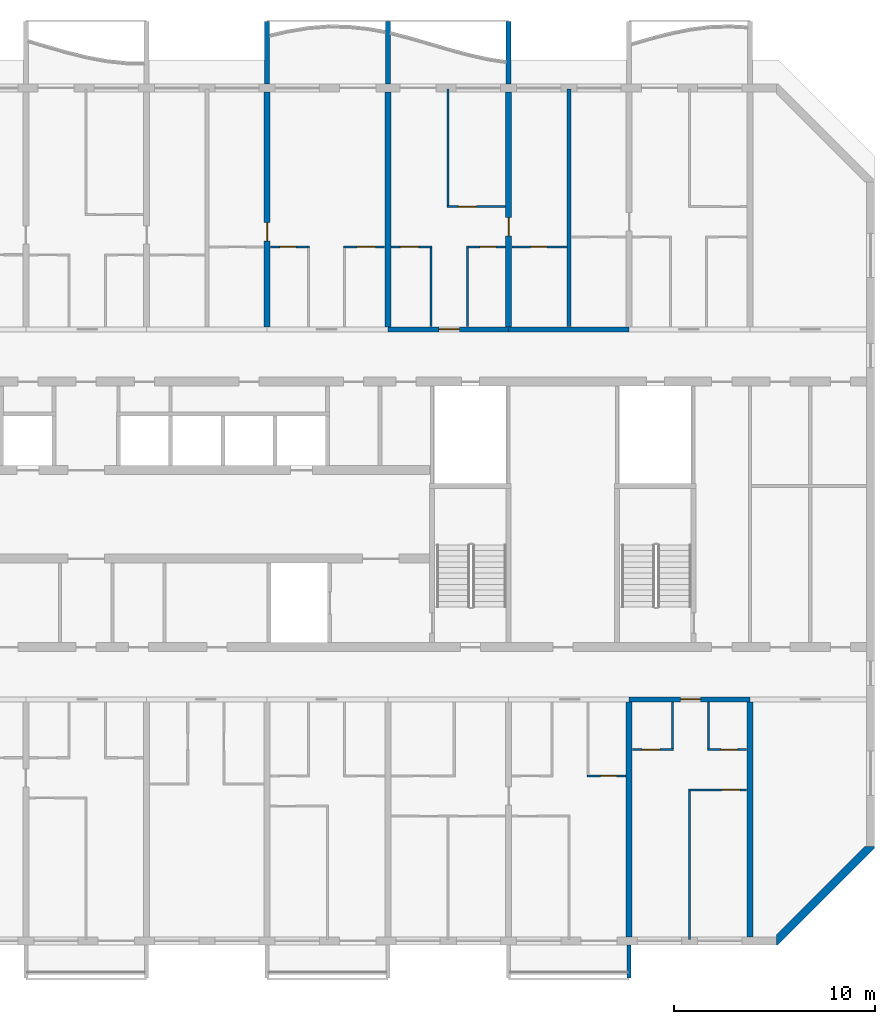
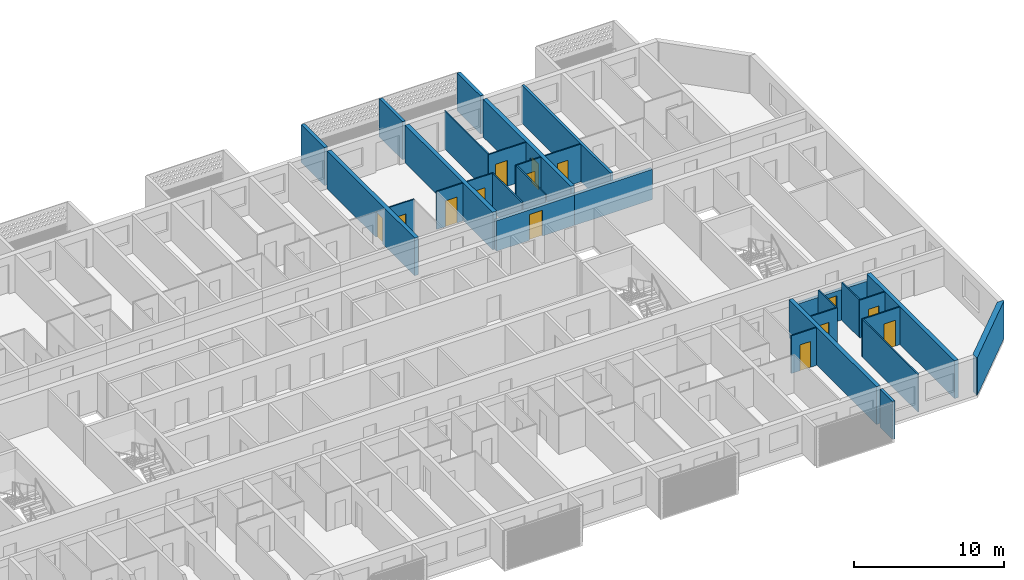
# One storey, part 11 of 32: 30 walls, 14 doors, 14 openings.
"""IFC4 building model written with IfcOpenShell, lengths in metres."""

from ifc_helpers import new_model, si_unit, direction, frame, frame_2d, origin, place, context, subcontext, project, spatial, polyline, rectangle, outline, extrude, source, transform, mapped, material, layer, layer_set, type_object, element, fill, save


model = new_model("IFC4")

# Units and contexts
model_context = context("Model", 3, precision=1e-05, world=origin(), true_north=direction((0.0, 1.0)))
body_context = subcontext(model_context, "Body", "Model", "MODEL_VIEW")
ifc_project = project(units=[si_unit("LENGTHUNIT", "METRE"), si_unit("AREAUNIT", "SQUARE_METRE"), si_unit("VOLUMEUNIT", "CUBIC_METRE"), si_unit("PLANEANGLEUNIT", "RADIAN"), si_unit("MASSUNIT", "GRAM", prefix="KILO")], contexts=[model_context])

# Site, building, storey
site_placement = place(None, origin())
site = spatial("IfcSite", under=ifc_project, at=site_placement, CompositionType="ELEMENT")
building_placement = place(site_placement, origin())
building = spatial("IfcBuilding", under=site, at=building_placement, Name="Poui Terraces", CompositionType="ELEMENT")
storey_placement = place(building_placement, frame((0.0, 0.0, 122.39990234375)))
storey = spatial("IfcBuildingStorey", under=building, at=storey_placement, Name="L33", CompositionType="ELEMENT", Elevation=122.39990234375)

# Wall, opening, door
ifc_material_1 = material(Name="Concrete 65 MPa", Category="concrete")
ifc_layer_1 = layer(ifc_material_1, 0.25)
ifc_layer_set_1 = layer_set([ifc_layer_1], Name="Concrete 65 MPa")
wall_type_1 = type_object("IfcWallType", Name="CORRIDOR WALL 250 65MPa", PredefinedType="SHEAR", material=ifc_layer_set_1)
wall_1_placement = place(storey_placement, frame((78.0, 12.0, 0.0), z_axis=(0.0, 0.0, 1.0), x_axis=(1.0, 0.0, 0.0)))
wall_1 = element("IfcWall", 1, at=wall_1_placement, inside=storey, type_object=wall_type_1, Name="CORRIDOR WALL LINE B BAY 12", PredefinedType="SHEAR", context=body_context, shape_type="SweptSolid", body=[
    extrude(rectangle(XDim=6.0, YDim=0.25, at=frame_2d((3.0, 0.0))), origin(), (0.0, 0.0, 1.0), 2.47021484375),
])
opening_1_placement = place(wall_1_placement, frame((2.550048828125, 0.0, 0.0)))
opening_1 = element("IfcOpeningElement", 2, at=opening_1_placement, cuts=wall_1, Name="Opening FD30S", PredefinedType="OPENING", context=body_context, shape_type="SweptSolid", body=[
    extrude(rectangle(XDim=1.0, YDim=2.10009765625, at=frame_2d((0.5, 1.050048828125))), frame((0.0, 0.135009765625, 0.0), z_axis=(0.0, -1.0, 0.0), x_axis=(1.0, 0.0, 0.0)), (0.0, 0.0, 1.0), 0.27001953125),
])
ifc_material_2 = material(Name="Steel fire door", Category="steel")
door_type_1 = type_object("IfcDoorType", Name="FLAT ENTRANCE DOOR 1000 X 2100", OperationType="NOTDEFINED", PredefinedType="DOOR", material=ifc_material_2)
door_1_placement = place(opening_1_placement, frame((1.0, 0.0, 0.0), z_axis=(0.0, 0.0, 1.0), x_axis=(-1.0, 0.0, 0.0)))
door_1 = element("IfcDoor", 3, at=door_1_placement, inside=storey, type_object=door_type_1, Name="FLAT ENTRANCE DOOR 117", OperationType="SINGLE_SWING_LEFT", OverallHeight=2.10009765625, OverallWidth=1.0, PredefinedType="DOOR", context=body_context, shape_type="SweptSolid", body=[
    extrude(rectangle(XDim=1.0, YDim=2.10009765625, at=frame_2d((0.5, 1.050048828125))), frame((0.0, 0.02490234375, 0.0), z_axis=(0.0, -1.0, 0.0), x_axis=(1.0, 0.0, 0.0)), (0.0, 0.0, 1.0), 0.050048828125),
])
fill(opening_1, door_1)

wall_2_placement = place(storey_placement, frame((66.0, 30.39990234375, 0.0), z_axis=(0.0, 0.0, 1.0), x_axis=(1.0, 0.0, 0.0)))
wall_2 = element("IfcWall", 4, at=wall_2_placement, inside=storey, type_object=wall_type_1, Name="CORRIDOR WALL LINE E BAY 10", PredefinedType="SHEAR", context=body_context, shape_type="SweptSolid", body=[
    extrude(rectangle(XDim=6.0, YDim=0.25, at=frame_2d((3.0, 0.0))), origin(), (0.0, 0.0, 1.0), 2.47021484375),
])
opening_2_placement = place(wall_2_placement, frame((2.550048828125, 0.0, 0.0)))
opening_2 = element("IfcOpeningElement", 5, at=opening_2_placement, cuts=wall_2, Name="Opening FD30S", PredefinedType="OPENING", context=body_context, shape_type="SweptSolid", body=[
    extrude(rectangle(XDim=1.0, YDim=2.10009765625, at=frame_2d((0.5, 1.050048828125))), frame((0.0, 0.135009765625, 0.0), z_axis=(0.0, -1.0, 0.0), x_axis=(1.0, 0.0, 0.0)), (0.0, 0.0, 1.0), 0.27001953125),
])
door_2_placement = place(opening_2_placement, origin())
door_2 = element("IfcDoor", 6, at=door_2_placement, inside=storey, type_object=door_type_1, Name="FLAT ENTRANCE DOOR 067", OperationType="SINGLE_SWING_RIGHT", OverallHeight=2.10009765625, OverallWidth=1.0, PredefinedType="DOOR", context=body_context, shape_type="SweptSolid", body=[
    extrude(rectangle(XDim=1.0, YDim=2.10009765625, at=frame_2d((0.5, 1.050048828125))), frame((0.0, 0.02490234375, 0.0), z_axis=(0.0, -1.0, 0.0), x_axis=(1.0, 0.0, 0.0)), (0.0, 0.0, 1.0), 0.050048828125),
])
fill(opening_2, door_2)

# Wall
wall_3_placement = place(storey_placement, frame((72.0, 30.39990234375, 0.0), z_axis=(0.0, 0.0, 1.0), x_axis=(1.0, 0.0, 0.0)))
element("IfcWall", 7, at=wall_3_placement, inside=storey, type_object=wall_type_1, Name="CORRIDOR WALL LINE E BAY 11", PredefinedType="SHEAR", context=body_context, shape_type="SweptSolid", body=[
    extrude(rectangle(XDim=6.0, YDim=0.25, at=frame_2d((3.0, 0.0))), origin(), (0.0, 0.0, 1.0), 2.47021484375),
])

# Wall, opening, door
ifc_layer_2 = layer(ifc_material_1, 0.300048828125)
ifc_layer_set_2 = layer_set([ifc_layer_2], Name="Concrete 65 MPa")
wall_type_2 = type_object("IfcWallType", Name="CROSS WALL 300 65MPa", PredefinedType="SHEAR", material=ifc_layer_set_2)
wall_4_placement = place(storey_placement, frame((60.0, 30.52490234375, 0.0), z_axis=(0.0, 0.0, 1.0), x_axis=(0.0, 1.0, 0.0)))
wall_4 = element("IfcWall", 8, at=wall_4_placement, inside=storey, type_object=wall_type_2, Name="CROSS WALL LINE 11 NORTH", PredefinedType="SHEAR", context=body_context, shape_type="SweptSolid", body=[
    extrude(rectangle(XDim=11.675048828125, YDim=0.300048828125, at=frame_2d((5.83740234375, 0.0))), origin(), (0.0, 0.0, 1.0), 3.070068359375),
])
opening_3_placement = place(wall_4_placement, frame((4.27490234375, 0.0, 0.0)))
opening_3 = element("IfcOpeningElement", 9, at=opening_3_placement, cuts=wall_4, Name="Opening D90", PredefinedType="OPENING", context=body_context, shape_type="SweptSolid", body=[
    extrude(rectangle(XDim=0.89990234375, YDim=2.10009765625, at=frame_2d((0.449951171875, 1.050048828125))), frame((0.0, 0.16015625, 0.0), z_axis=(0.0, -1.0, 0.0), x_axis=(1.0, 0.0, 0.0)), (0.0, 0.0, 1.0), 0.320068359375),
])
ifc_material_3 = material(Name="Solid core timber door", Category="wood")
door_type_2 = type_object("IfcDoorType", Name="INTERNAL DOOR 900 X 2100", OperationType="NOTDEFINED", PredefinedType="DOOR", material=ifc_material_3)
door_3_placement = place(opening_3_placement, origin())
door_3 = element("IfcDoor", 10, at=door_3_placement, inside=storey, type_object=door_type_2, Name="INTERNAL DOOR 061", OperationType="SINGLE_SWING_LEFT", OverallHeight=2.10009765625, OverallWidth=0.89990234375, PredefinedType="DOOR", context=body_context, shape_type="SweptSolid", body=[
    extrude(rectangle(XDim=0.89990234375, YDim=2.10009765625, at=frame_2d((0.449951171875, 1.050048828125))), frame((0.0, 0.02490234375, 0.0), z_axis=(0.0, -1.0, 0.0), x_axis=(1.0, 0.0, 0.0)), (0.0, 0.0, 1.0), 0.050048828125),
])
fill(opening_3, door_3)

# Wall
wall_5_placement = place(storey_placement, frame((66.0, 30.52490234375, 0.0), z_axis=(0.0, 0.0, 1.0), x_axis=(0.0, 1.0, 0.0)))
element("IfcWall", 11, at=wall_5_placement, inside=storey, type_object=wall_type_2, Name="CROSS WALL LINE 12 NORTH", PredefinedType="SHEAR", context=body_context, shape_type="SweptSolid", body=[
    extrude(rectangle(XDim=11.675048828125, YDim=0.300048828125, at=frame_2d((5.83740234375, 0.0))), origin(), (0.0, 0.0, 1.0), 3.070068359375),
])

# Wall, opening, door
wall_6_placement = place(storey_placement, frame((72.0, 30.52490234375, 0.0), z_axis=(0.0, 0.0, 1.0), x_axis=(0.0, 1.0, 0.0)))
wall_6 = element("IfcWall", 12, at=wall_6_placement, inside=storey, type_object=wall_type_2, Name="CROSS WALL LINE 13 NORTH", PredefinedType="SHEAR", context=body_context, shape_type="SweptSolid", body=[
    extrude(rectangle(XDim=11.675048828125, YDim=0.300048828125, at=frame_2d((5.83740234375, 0.0))), origin(), (0.0, 0.0, 1.0), 3.070068359375),
])
opening_4_placement = place(wall_6_placement, frame((4.52490234375, 0.0, 0.0)))
opening_4 = element("IfcOpeningElement", 13, at=opening_4_placement, cuts=wall_6, Name="Opening D90", PredefinedType="OPENING", context=body_context, shape_type="SweptSolid", body=[
    extrude(rectangle(XDim=0.89990234375, YDim=2.10009765625, at=frame_2d((0.449951171875, 1.050048828125))), frame((0.0, 0.16015625, 0.0), z_axis=(0.0, -1.0, 0.0), x_axis=(1.0, 0.0, 0.0)), (0.0, 0.0, 1.0), 0.320068359375),
])
door_4_placement = place(opening_4_placement, frame((0.89990234375, 0.0, 0.0), z_axis=(0.0, 0.0, 1.0), x_axis=(-1.0, 0.0, 0.0)))
door_4 = element("IfcDoor", 14, at=door_4_placement, inside=storey, type_object=door_type_2, Name="INTERNAL DOOR 070", OperationType="SINGLE_SWING_RIGHT", OverallHeight=2.10009765625, OverallWidth=0.89990234375, PredefinedType="DOOR", context=body_context, shape_type="SweptSolid", body=[
    extrude(rectangle(XDim=0.89990234375, YDim=2.10009765625, at=frame_2d((0.449951171875, 1.050048828125))), frame((0.0, 0.02490234375, 0.0), z_axis=(0.0, -1.0, 0.0), x_axis=(1.0, 0.0, 0.0)), (0.0, 0.0, 1.0), 0.050048828125),
])
fill(opening_4, door_4)

# Walls
for number, where, z_axis, x_axis, name in (
    (15, (78.0, 0.199951171875, 0.0), (0.0, 0.0, 1.0), (0.0, 1.0, 0.0), "CROSS WALL LINE 14 SOUTH"),
    (16, (84.0, 0.199951171875, 0.0), (0.0, 0.0, 1.0), (0.0, 1.0, 0.0), "CROSS WALL LINE 15 SOUTH"),
):
    element("IfcWall", number, at=place(storey_placement, frame(where, z_axis=z_axis, x_axis=x_axis)), inside=storey, type_object=wall_type_2, Name=name, PredefinedType="SHEAR", context=body_context, shape_type="SweptSolid", body=[
        extrude(rectangle(XDim=11.675048828125, YDim=0.300048828125, at=frame_2d((5.83740234375, 0.0))), origin(), (0.0, 0.0, 1.0), 3.070068359375),
    ])

# Wall, opening, door
ifc_material_4 = material(Name="Plasterboard partition")
ifc_layer_3 = layer(ifc_material_4, 0.10009765625)
ifc_layer_set_3 = layer_set([ifc_layer_3], Name="Plasterboard partition")
wall_type_3 = type_object("IfcWallType", Name="FLAT PARTITION 100", PredefinedType="PARTITIONING", material=ifc_layer_set_3)
wall_7_placement = place(storey_placement, frame((80.949951171875, 7.5, 0.0), z_axis=(0.0, 0.0, 1.0), x_axis=(1.0, 0.0, 0.0)))
wall_7 = element("IfcWall", 17, at=wall_7_placement, inside=storey, type_object=wall_type_3, Name="FLAT PARTITION 100", PredefinedType="PARTITIONING", context=body_context, shape_type="SweptSolid", body=[
    extrude(rectangle(XDim=2.89013671875, YDim=0.10009765625, at=frame_2d((1.445068359375, 0.0))), origin(), (0.0, 0.0, 1.0), 3.070068359375),
])
opening_5_placement = place(wall_7_placement, frame((1.64990234375, 0.0, 0.0)))
opening_5 = element("IfcOpeningElement", 18, at=opening_5_placement, cuts=wall_7, Name="Opening D90", PredefinedType="OPENING", context=body_context, shape_type="SweptSolid", body=[
    extrude(rectangle(XDim=0.89990234375, YDim=2.10009765625, at=frame_2d((0.449951171875, 1.050048828125))), frame((0.0, 0.06005859375, 0.0), z_axis=(0.0, -1.0, 0.0), x_axis=(1.0, 0.0, 0.0)), (0.0, 0.0, 1.0), 0.1201171875),
])
door_5_placement = place(opening_5_placement, origin())
door_5 = element("IfcDoor", 19, at=door_5_placement, inside=storey, type_object=door_type_2, Name="INTERNAL DOOR 119", OperationType="SINGLE_SWING_LEFT", OverallHeight=2.10009765625, OverallWidth=0.89990234375, PredefinedType="DOOR", context=body_context, shape_type="SweptSolid", body=[
    extrude(rectangle(XDim=0.89990234375, YDim=2.10009765625, at=frame_2d((0.449951171875, 1.050048828125))), frame((0.0, 0.02490234375, 0.0), z_axis=(0.0, -1.0, 0.0), x_axis=(1.0, 0.0, 0.0)), (0.0, 0.0, 1.0), 0.050048828125),
])
fill(opening_5, door_5)

wall_8_placement = place(storey_placement, frame((75.89990234375, 8.199951171875, 0.0), z_axis=(0.0, 0.0, 1.0), x_axis=(1.0, 0.0, 0.0)))
wall_8 = element("IfcWall", 20, at=wall_8_placement, inside=storey, type_object=wall_type_3, Name="FLAT PARTITION 100", PredefinedType="PARTITIONING", context=body_context, shape_type="SweptSolid", body=[
    extrude(rectangle(XDim=1.940185546875, YDim=0.10009765625, at=frame_2d((0.97021484375, 0.0))), origin(), (0.0, 0.0, 1.0), 3.070068359375),
])
opening_6_placement = place(wall_8_placement, frame((0.675048828125, 0.0, 0.0)))
opening_6 = element("IfcOpeningElement", 21, at=opening_6_placement, cuts=wall_8, Name="Opening D80", PredefinedType="OPENING", context=body_context, shape_type="SweptSolid", body=[
    extrude(rectangle(XDim=0.800048828125, YDim=2.10009765625, at=frame_2d((0.39990234375, 1.050048828125))), frame((0.0, 0.06005859375, 0.0), z_axis=(0.0, -1.0, 0.0), x_axis=(1.0, 0.0, 0.0)), (0.0, 0.0, 1.0), 0.1201171875),
])
door_type_3 = type_object("IfcDoorType", Name="BATHROOM, LAUNDRY AND STORE DOOR 800 X 2100", OperationType="NOTDEFINED", PredefinedType="DOOR", material=ifc_material_3)
door_6_placement = place(opening_6_placement, origin())
door_6 = element("IfcDoor", 22, at=door_6_placement, inside=storey, type_object=door_type_3, Name="BATHROOM, LAUNDRY AND STORE DOOR 115", OperationType="SINGLE_SWING_RIGHT", OverallHeight=2.10009765625, OverallWidth=0.800048828125, PredefinedType="DOOR", context=body_context, shape_type="SweptSolid", body=[
    extrude(rectangle(XDim=0.800048828125, YDim=2.10009765625, at=frame_2d((0.39990234375, 1.050048828125))), frame((0.0, 0.02490234375, 0.0), z_axis=(0.0, -1.0, 0.0), x_axis=(1.0, 0.0, 0.0)), (0.0, 0.0, 1.0), 0.050048828125),
])
fill(opening_6, door_6)

wall_9_placement = place(storey_placement, frame((78.159912109375, 9.5, 0.0), z_axis=(0.0, 0.0, 1.0), x_axis=(1.0, 0.0, 0.0)))
wall_9 = element("IfcWall", 23, at=wall_9_placement, inside=storey, type_object=wall_type_3, Name="FLAT PARTITION 100", PredefinedType="PARTITIONING", context=body_context, shape_type="SweptSolid", body=[
    extrude(rectangle(XDim=2.0400390625, YDim=0.10009765625, at=frame_2d((1.02001953125, 0.0))), origin(), (0.0, 0.0, 1.0), 3.070068359375),
])
opening_7_placement = place(wall_9_placement, frame((0.465087890625, 0.0, 0.0)))
opening_7 = element("IfcOpeningElement", 24, at=opening_7_placement, cuts=wall_9, Name="Opening D90", PredefinedType="OPENING", context=body_context, shape_type="SweptSolid", body=[
    extrude(rectangle(XDim=0.89990234375, YDim=2.10009765625, at=frame_2d((0.449951171875, 1.050048828125))), frame((0.0, 0.06005859375, 0.0), z_axis=(0.0, -1.0, 0.0), x_axis=(1.0, 0.0, 0.0)), (0.0, 0.0, 1.0), 0.1201171875),
])
door_7_placement = place(opening_7_placement, origin())
door_7 = element("IfcDoor", 25, at=door_7_placement, inside=storey, type_object=door_type_2, Name="INTERNAL DOOR 116", OperationType="SINGLE_SWING_LEFT", OverallHeight=2.10009765625, OverallWidth=0.89990234375, PredefinedType="DOOR", context=body_context, shape_type="SweptSolid", body=[
    extrude(rectangle(XDim=0.89990234375, YDim=2.10009765625, at=frame_2d((0.449951171875, 1.050048828125))), frame((0.0, 0.02490234375, 0.0), z_axis=(0.0, -1.0, 0.0), x_axis=(1.0, 0.0, 0.0)), (0.0, 0.0, 1.0), 0.050048828125),
])
fill(opening_7, door_7)

wall_10_placement = place(storey_placement, frame((81.89990234375, 9.5, 0.0), z_axis=(0.0, 0.0, 1.0), x_axis=(1.0, 0.0, 0.0)))
wall_10 = element("IfcWall", 26, at=wall_10_placement, inside=storey, type_object=wall_type_3, Name="FLAT PARTITION 100", PredefinedType="PARTITIONING", context=body_context, shape_type="SweptSolid", body=[
    extrude(rectangle(XDim=1.940185546875, YDim=0.10009765625, at=frame_2d((0.97021484375, 0.0))), origin(), (0.0, 0.0, 1.0), 3.070068359375),
])
opening_8_placement = place(wall_10_placement, frame((0.675048828125, 0.0, 0.0)))
opening_8 = element("IfcOpeningElement", 27, at=opening_8_placement, cuts=wall_10, Name="Opening D80", PredefinedType="OPENING", context=body_context, shape_type="SweptSolid", body=[
    extrude(rectangle(XDim=0.800048828125, YDim=2.10009765625, at=frame_2d((0.39990234375, 1.050048828125))), frame((0.0, 0.06005859375, 0.0), z_axis=(0.0, -1.0, 0.0), x_axis=(1.0, 0.0, 0.0)), (0.0, 0.0, 1.0), 0.1201171875),
])
door_8_placement = place(opening_8_placement, origin())
door_8 = element("IfcDoor", 28, at=door_8_placement, inside=storey, type_object=door_type_3, Name="BATHROOM, LAUNDRY AND STORE DOOR 118", OperationType="SINGLE_SWING_RIGHT", OverallHeight=2.10009765625, OverallWidth=0.800048828125, PredefinedType="DOOR", context=body_context, shape_type="SweptSolid", body=[
    extrude(rectangle(XDim=0.800048828125, YDim=2.10009765625, at=frame_2d((0.39990234375, 1.050048828125))), frame((0.0, 0.02490234375, 0.0), z_axis=(0.0, -1.0, 0.0), x_axis=(1.0, 0.0, 0.0)), (0.0, 0.0, 1.0), 0.050048828125),
])
fill(opening_8, door_8)

wall_11_placement = place(storey_placement, frame((60.159912109375, 34.5, 0.0), z_axis=(0.0, 0.0, 1.0), x_axis=(1.0, 0.0, 0.0)))
wall_11 = element("IfcWall", 29, at=wall_11_placement, inside=storey, type_object=wall_type_3, Name="FLAT PARTITION 100", PredefinedType="PARTITIONING", context=body_context, shape_type="SweptSolid", body=[
    extrude(rectangle(XDim=1.940185546875, YDim=0.10009765625, at=frame_2d((0.97021484375, 0.0))), origin(), (0.0, 0.0, 1.0), 3.070068359375),
])
opening_9_placement = place(wall_11_placement, frame((0.465087890625, 0.0, 0.0)))
opening_9 = element("IfcOpeningElement", 30, at=opening_9_placement, cuts=wall_11, Name="Opening D80", PredefinedType="OPENING", context=body_context, shape_type="SweptSolid", body=[
    extrude(rectangle(XDim=0.800048828125, YDim=2.10009765625, at=frame_2d((0.39990234375, 1.050048828125))), frame((0.0, 0.06005859375, 0.0), z_axis=(0.0, -1.0, 0.0), x_axis=(1.0, 0.0, 0.0)), (0.0, 0.0, 1.0), 0.1201171875),
])
door_9_placement = place(opening_9_placement, frame((0.800048828125, 0.0, 0.0), z_axis=(0.0, 0.0, 1.0), x_axis=(-1.0, 0.0, 0.0)))
door_9 = element("IfcDoor", 31, at=door_9_placement, inside=storey, type_object=door_type_3, Name="BATHROOM, LAUNDRY AND STORE DOOR 062", OperationType="SINGLE_SWING_LEFT", OverallHeight=2.10009765625, OverallWidth=0.800048828125, PredefinedType="DOOR", context=body_context, shape_type="SweptSolid", body=[
    extrude(rectangle(XDim=0.800048828125, YDim=2.10009765625, at=frame_2d((0.39990234375, 1.050048828125))), frame((0.0, 0.02490234375, 0.0), z_axis=(0.0, -1.0, 0.0), x_axis=(1.0, 0.0, 0.0)), (0.0, 0.0, 1.0), 0.050048828125),
])
fill(opening_9, door_9)

wall_12_placement = place(storey_placement, frame((63.800048828125, 34.5, 0.0), z_axis=(0.0, 0.0, 1.0), x_axis=(1.0, 0.0, 0.0)))
wall_12 = element("IfcWall", 32, at=wall_12_placement, inside=storey, type_object=wall_type_3, Name="FLAT PARTITION 100", PredefinedType="PARTITIONING", context=body_context, shape_type="SweptSolid", body=[
    extrude(rectangle(XDim=2.0400390625, YDim=0.10009765625, at=frame_2d((1.02001953125, 0.0))), origin(), (0.0, 0.0, 1.0), 3.070068359375),
])
opening_10_placement = place(wall_12_placement, frame((0.675048828125, 0.0, 0.0)))
opening_10 = element("IfcOpeningElement", 33, at=opening_10_placement, cuts=wall_12, Name="Opening D90", PredefinedType="OPENING", context=body_context, shape_type="SweptSolid", body=[
    extrude(rectangle(XDim=0.89990234375, YDim=2.10009765625, at=frame_2d((0.449951171875, 1.050048828125))), frame((0.0, 0.06005859375, 0.0), z_axis=(0.0, -1.0, 0.0), x_axis=(1.0, 0.0, 0.0)), (0.0, 0.0, 1.0), 0.1201171875),
])
door_10_placement = place(opening_10_placement, frame((0.89990234375, 0.0, 0.0), z_axis=(0.0, 0.0, 1.0), x_axis=(-1.0, 0.0, 0.0)))
door_10 = element("IfcDoor", 34, at=door_10_placement, inside=storey, type_object=door_type_2, Name="INTERNAL DOOR 064", OperationType="SINGLE_SWING_RIGHT", OverallHeight=2.10009765625, OverallWidth=0.89990234375, PredefinedType="DOOR", context=body_context, shape_type="SweptSolid", body=[
    extrude(rectangle(XDim=0.89990234375, YDim=2.10009765625, at=frame_2d((0.449951171875, 1.050048828125))), frame((0.0, 0.02490234375, 0.0), z_axis=(0.0, -1.0, 0.0), x_axis=(1.0, 0.0, 0.0)), (0.0, 0.0, 1.0), 0.050048828125),
])
fill(opening_10, door_10)

wall_13_placement = place(storey_placement, frame((66.159912109375, 34.5, 0.0), z_axis=(0.0, 0.0, 1.0), x_axis=(1.0, 0.0, 0.0)))
wall_13 = element("IfcWall", 35, at=wall_13_placement, inside=storey, type_object=wall_type_3, Name="FLAT PARTITION 100", PredefinedType="PARTITIONING", context=body_context, shape_type="SweptSolid", body=[
    extrude(rectangle(XDim=2.0400390625, YDim=0.10009765625, at=frame_2d((1.02001953125, 0.0))), origin(), (0.0, 0.0, 1.0), 3.070068359375),
])
opening_11_placement = place(wall_13_placement, frame((0.465087890625, 0.0, 0.0)))
opening_11 = element("IfcOpeningElement", 36, at=opening_11_placement, cuts=wall_13, Name="Opening D90", PredefinedType="OPENING", context=body_context, shape_type="SweptSolid", body=[
    extrude(rectangle(XDim=0.89990234375, YDim=2.10009765625, at=frame_2d((0.449951171875, 1.050048828125))), frame((0.0, 0.06005859375, 0.0), z_axis=(0.0, -1.0, 0.0), x_axis=(1.0, 0.0, 0.0)), (0.0, 0.0, 1.0), 0.1201171875),
])
door_11_placement = place(opening_11_placement, frame((0.89990234375, 0.0, 0.0), z_axis=(0.0, 0.0, 1.0), x_axis=(-1.0, 0.0, 0.0)))
door_11 = element("IfcDoor", 37, at=door_11_placement, inside=storey, type_object=door_type_2, Name="INTERNAL DOOR 066", OperationType="SINGLE_SWING_LEFT", OverallHeight=2.10009765625, OverallWidth=0.89990234375, PredefinedType="DOOR", context=body_context, shape_type="SweptSolid", body=[
    extrude(rectangle(XDim=0.89990234375, YDim=2.10009765625, at=frame_2d((0.449951171875, 1.050048828125))), frame((0.0, 0.02490234375, 0.0), z_axis=(0.0, -1.0, 0.0), x_axis=(1.0, 0.0, 0.0)), (0.0, 0.0, 1.0), 0.050048828125),
])
fill(opening_11, door_11)

wall_14_placement = place(storey_placement, frame((69.89990234375, 34.5, 0.0), z_axis=(0.0, 0.0, 1.0), x_axis=(1.0, 0.0, 0.0)))
wall_14 = element("IfcWall", 38, at=wall_14_placement, inside=storey, type_object=wall_type_3, Name="FLAT PARTITION 100", PredefinedType="PARTITIONING", context=body_context, shape_type="SweptSolid", body=[
    extrude(rectangle(XDim=1.940185546875, YDim=0.10009765625, at=frame_2d((0.97021484375, 0.0))), origin(), (0.0, 0.0, 1.0), 3.070068359375),
])
opening_12_placement = place(wall_14_placement, frame((0.675048828125, 0.0, 0.0)))
opening_12 = element("IfcOpeningElement", 39, at=opening_12_placement, cuts=wall_14, Name="Opening D80", PredefinedType="OPENING", context=body_context, shape_type="SweptSolid", body=[
    extrude(rectangle(XDim=0.800048828125, YDim=2.10009765625, at=frame_2d((0.39990234375, 1.050048828125))), frame((0.0, 0.06005859375, 0.0), z_axis=(0.0, -1.0, 0.0), x_axis=(1.0, 0.0, 0.0)), (0.0, 0.0, 1.0), 0.1201171875),
])
door_12_placement = place(opening_12_placement, frame((0.800048828125, 0.0, 0.0), z_axis=(0.0, 0.0, 1.0), x_axis=(-1.0, 0.0, 0.0)))
door_12 = element("IfcDoor", 40, at=door_12_placement, inside=storey, type_object=door_type_3, Name="BATHROOM, LAUNDRY AND STORE DOOR 069", OperationType="SINGLE_SWING_RIGHT", OverallHeight=2.10009765625, OverallWidth=0.800048828125, PredefinedType="DOOR", context=body_context, shape_type="SweptSolid", body=[
    extrude(rectangle(XDim=0.800048828125, YDim=2.10009765625, at=frame_2d((0.39990234375, 1.050048828125))), frame((0.0, 0.02490234375, 0.0), z_axis=(0.0, -1.0, 0.0), x_axis=(1.0, 0.0, 0.0)), (0.0, 0.0, 1.0), 0.050048828125),
])
fill(opening_12, door_12)

wall_15_placement = place(storey_placement, frame((72.159912109375, 34.5, 0.0), z_axis=(0.0, 0.0, 1.0), x_axis=(1.0, 0.0, 0.0)))
wall_15 = element("IfcWall", 41, at=wall_15_placement, inside=storey, type_object=wall_type_3, Name="FLAT PARTITION 100", PredefinedType="PARTITIONING", context=body_context, shape_type="SweptSolid", body=[
    extrude(rectangle(XDim=2.739990234375, YDim=0.10009765625, at=frame_2d((1.3701171875, 0.0))), origin(), (0.0, 0.0, 1.0), 3.070068359375),
])
opening_13_placement = place(wall_15_placement, frame((0.93994140625, 0.0, 0.0)))
opening_13 = element("IfcOpeningElement", 42, at=opening_13_placement, cuts=wall_15, Name="Opening D80", PredefinedType="OPENING", context=body_context, shape_type="SweptSolid", body=[
    extrude(rectangle(XDim=0.800048828125, YDim=2.10009765625, at=frame_2d((0.39990234375, 1.050048828125))), frame((0.0, 0.06005859375, 0.0), z_axis=(0.0, -1.0, 0.0), x_axis=(1.0, 0.0, 0.0)), (0.0, 0.0, 1.0), 0.1201171875),
])
door_13_placement = place(opening_13_placement, frame((0.800048828125, 0.0, 0.0), z_axis=(0.0, 0.0, 1.0), x_axis=(-1.0, 0.0, 0.0)))
door_13 = element("IfcDoor", 43, at=door_13_placement, inside=storey, type_object=door_type_3, Name="BATHROOM, LAUNDRY AND STORE DOOR 065", OperationType="SINGLE_SWING_LEFT", OverallHeight=2.10009765625, OverallWidth=0.800048828125, PredefinedType="DOOR", context=body_context, shape_type="SweptSolid", body=[
    extrude(rectangle(XDim=0.800048828125, YDim=2.10009765625, at=frame_2d((0.39990234375, 1.050048828125))), frame((0.0, 0.02490234375, 0.0), z_axis=(0.0, -1.0, 0.0), x_axis=(1.0, 0.0, 0.0)), (0.0, 0.0, 1.0), 0.050048828125),
])
fill(opening_13, door_13)

wall_16_placement = place(storey_placement, frame((68.949951171875, 36.5, 0.0), z_axis=(0.0, 0.0, 1.0), x_axis=(1.0, 0.0, 0.0)))
wall_16 = element("IfcWall", 44, at=wall_16_placement, inside=storey, type_object=wall_type_3, Name="FLAT PARTITION 100", PredefinedType="PARTITIONING", context=body_context, shape_type="SweptSolid", body=[
    extrude(rectangle(XDim=2.89013671875, YDim=0.10009765625, at=frame_2d((1.445068359375, 0.0))), origin(), (0.0, 0.0, 1.0), 3.070068359375),
])
opening_14_placement = place(wall_16_placement, frame((0.550048828125, 0.0, 0.0)))
opening_14 = element("IfcOpeningElement", 45, at=opening_14_placement, cuts=wall_16, Name="Opening D90", PredefinedType="OPENING", context=body_context, shape_type="SweptSolid", body=[
    extrude(rectangle(XDim=0.89990234375, YDim=2.10009765625, at=frame_2d((0.449951171875, 1.050048828125))), frame((0.0, 0.06005859375, 0.0), z_axis=(0.0, -1.0, 0.0), x_axis=(1.0, 0.0, 0.0)), (0.0, 0.0, 1.0), 0.1201171875),
])
door_14_placement = place(opening_14_placement, frame((0.89990234375, 0.0, 0.0), z_axis=(0.0, 0.0, 1.0), x_axis=(-1.0, 0.0, 0.0)))
door_14 = element("IfcDoor", 46, at=door_14_placement, inside=storey, type_object=door_type_2, Name="INTERNAL DOOR 068", OperationType="SINGLE_SWING_LEFT", OverallHeight=2.10009765625, OverallWidth=0.89990234375, PredefinedType="DOOR", context=body_context, shape_type="SweptSolid", body=[
    extrude(rectangle(XDim=0.89990234375, YDim=2.10009765625, at=frame_2d((0.449951171875, 1.050048828125))), frame((0.0, 0.02490234375, 0.0), z_axis=(0.0, -1.0, 0.0), x_axis=(1.0, 0.0, 0.0)), (0.0, 0.0, 1.0), 0.050048828125),
])
fill(opening_14, door_14)

# Walls
wall_17_placement = place(storey_placement, frame((68.14990234375, 30.534912109375, 0.0), z_axis=(0.0, 0.0, 1.0), x_axis=(0.0, 1.0, 0.0)))
element("IfcWall", 47, at=wall_17_placement, inside=storey, type_object=wall_type_3, Name="FLAT PARTITION 100", PredefinedType="PARTITIONING", context=body_context, shape_type="SweptSolid", body=[
    extrude(rectangle(XDim=3.9150390625, YDim=0.10009765625, at=frame_2d((1.95751953125, 0.0))), origin(), (0.0, 0.0, 1.0), 3.070068359375),
])
wall_18_placement = place(storey_placement, frame((69.0, 36.550048828125, 0.0), z_axis=(0.0, 0.0, 1.0), x_axis=(0.0, 1.0, 0.0)))
element("IfcWall", 48, at=wall_18_placement, inside=storey, type_object=wall_type_3, Name="FLAT PARTITION 100", PredefinedType="PARTITIONING", context=body_context, shape_type="SweptSolid", body=[
    extrude(rectangle(XDim=5.7900390625, YDim=0.10009765625, at=frame_2d((2.89501953125, 0.0))), origin(), (0.0, 0.0, 1.0), 3.070068359375),
])
wall_19_placement = place(storey_placement, frame((69.949951171875, 30.534912109375, 0.0), z_axis=(0.0, 0.0, 1.0), x_axis=(0.0, 1.0, 0.0)))
element("IfcWall", 49, at=wall_19_placement, inside=storey, type_object=wall_type_3, Name="FLAT PARTITION 100", PredefinedType="PARTITIONING", context=body_context, shape_type="SweptSolid", body=[
    extrude(rectangle(XDim=3.9150390625, YDim=0.10009765625, at=frame_2d((1.95751953125, 0.0))), origin(), (0.0, 0.0, 1.0), 3.070068359375),
])
wall_20_placement = place(storey_placement, frame((80.14990234375, 9.550048828125, 0.0), z_axis=(0.0, 0.0, 1.0), x_axis=(0.0, 1.0, 0.0)))
element("IfcWall", 50, at=wall_20_placement, inside=storey, type_object=wall_type_3, Name="FLAT PARTITION 100", PredefinedType="PARTITIONING", context=body_context, shape_type="SweptSolid", body=[
    extrude(rectangle(XDim=2.31494140625, YDim=0.10009765625, at=frame_2d((1.157470703125, 0.0))), origin(), (0.0, 0.0, 1.0), 3.070068359375),
])
wall_21_placement = place(storey_placement, frame((81.0, 0.06005859375, 0.0), z_axis=(0.0, 0.0, 1.0), x_axis=(0.0, 1.0, 0.0)))
element("IfcWall", 51, at=wall_21_placement, inside=storey, type_object=wall_type_3, Name="FLAT PARTITION 100", PredefinedType="PARTITIONING", context=body_context, shape_type="SweptSolid", body=[
    extrude(rectangle(XDim=7.389892578125, YDim=0.10009765625, at=frame_2d((3.69482421875, 0.0))), origin(), (0.0, 0.0, 1.0), 3.070068359375),
])
wall_22_placement = place(storey_placement, frame((81.949951171875, 9.550048828125, 0.0), z_axis=(0.0, 0.0, 1.0), x_axis=(0.0, 1.0, 0.0)))
element("IfcWall", 52, at=wall_22_placement, inside=storey, type_object=wall_type_3, Name="FLAT PARTITION 100", PredefinedType="PARTITIONING", context=body_context, shape_type="SweptSolid", body=[
    extrude(rectangle(XDim=2.31494140625, YDim=0.10009765625, at=frame_2d((1.157470703125, 0.0))), origin(), (0.0, 0.0, 1.0), 3.070068359375),
])
ifc_material_5 = material(Name="Fire-rated masonry wall", Category="masonry")
ifc_layer_4 = layer(ifc_material_5, 0.199951171875)
ifc_layer_set_4 = layer_set([ifc_layer_4], Name="Fire-rated masonry wall")
wall_type_4 = type_object("IfcWallType", Name="FLAT PARTY WALL 200", PredefinedType="PARTITIONING", material=ifc_layer_set_4)
wall_23_placement = place(storey_placement, frame((75.0, 30.534912109375, 0.0), z_axis=(0.0, 0.0, 1.0), x_axis=(0.0, 1.0, 0.0)))
element("IfcWall", 53, at=wall_23_placement, inside=storey, type_object=wall_type_4, Name="FLAT PARTY WALL 200", PredefinedType="PARTITIONING", context=body_context, shape_type="SweptSolid", body=[
    extrude(rectangle(XDim=11.80517578125, YDim=0.199951171875, at=frame_2d((5.902587890625, 0.0))), origin(), (0.0, 0.0, 1.0), 3.070068359375),
])
ifc_material_6 = material(Name="Precast concrete 40 MPa", Category="concrete")
ifc_layer_5 = layer(ifc_material_6, 0.39990234375)
ifc_layer_set_5 = layer_set([ifc_layer_5], Name="Precast concrete 40 MPa")
wall_type_5 = type_object("IfcWallType", Name="TERRACOTTA CLAD CHAMFER WALL 400", PredefinedType="STANDARD", material=ifc_layer_set_5)
wall_24_placement = place(storey_placement, origin())
element("IfcWall", 54, at=wall_24_placement, inside=storey, type_object=wall_type_5, Name="CHAMFER WALL CH01", PredefinedType="STANDARD", context=body_context, shape_type="SweptSolid", body=[
    extrude(outline(polyline([(85.317138671875, -0.199951171875), (85.39990234375, -0.199951171875), (90.199951171875, 4.60009765625), (90.199951171875, 4.682861328125), (89.71728515625, 4.682861328125), (85.317138671875, 0.28271484375), (85.317138671875, -0.199951171875)])), origin(), (0.0, 0.0, 1.0), 3.070068359375),
])
ifc_layer_6 = layer(ifc_material_6, 0.199951171875)
ifc_layer_set_6 = layer_set([ifc_layer_6], Name="Precast concrete 40 MPa")
wall_type_6 = type_object("IfcWallType", Name="REAR FIN 200", PredefinedType="STANDARD", material=ifc_layer_set_6)
shared_shape_1 = source(origin(), body_context, "Body", "SweptSolid", [
    extrude(outline(polyline([(0.0, 0.0), (0.2001953125, 0.0), (0.2001953125, 1.650146484375), (0.0, 1.650146484375), (0.0, 0.0)])), origin(), (0.0, 0.0, 1.0), 3.10009765625),
])
wall_25_placement = place(storey_placement, frame((77.89990234375, -1.85009765625, 0.0)))
element("IfcWall", 55, at=wall_25_placement, inside=storey, type_object=wall_type_6, Name="REAR FIN", PredefinedType="STANDARD", context=body_context, shape_type="MappedRepresentation", body=[
    mapped(shared_shape_1, transform((0.0, 0.0, 0.0))),
])
ifc_layer_7 = layer(ifc_material_6, 0.25)
ifc_layer_set_7 = layer_set([ifc_layer_7], Name="Precast concrete 40 MPa")
wall_type_7 = type_object("IfcWallType", Name="BALCONY FIN 250", PredefinedType="STANDARD", material=ifc_layer_set_7)
shared_shape_2 = source(origin(), body_context, "Body", "SweptSolid", [
    extrude(outline(polyline([(0.0, 0.0), (0.25, 0.0), (0.25, 3.099853515625), (0.0, 3.099853515625), (0.0, 0.0)])), origin(), (0.0, 0.0, 1.0), 3.10009765625),
])
for number, where, name in (
    (56, (59.875, 42.60009765625, 0.0), "BALCONY FIN"),
    (57, (65.875, 42.60009765625, 0.0), "BALCONY FIN"),
    (58, (71.875, 42.60009765625, 0.0), "BALCONY FIN"),
):
    element("IfcWall", number, at=place(storey_placement, frame(where)), inside=storey, type_object=wall_type_7, Name=name, PredefinedType="STANDARD", context=body_context, shape_type="MappedRepresentation", body=[
        mapped(shared_shape_2, transform((0.0, 0.0, 0.0))),
    ])

save(model, "model.ifc")
